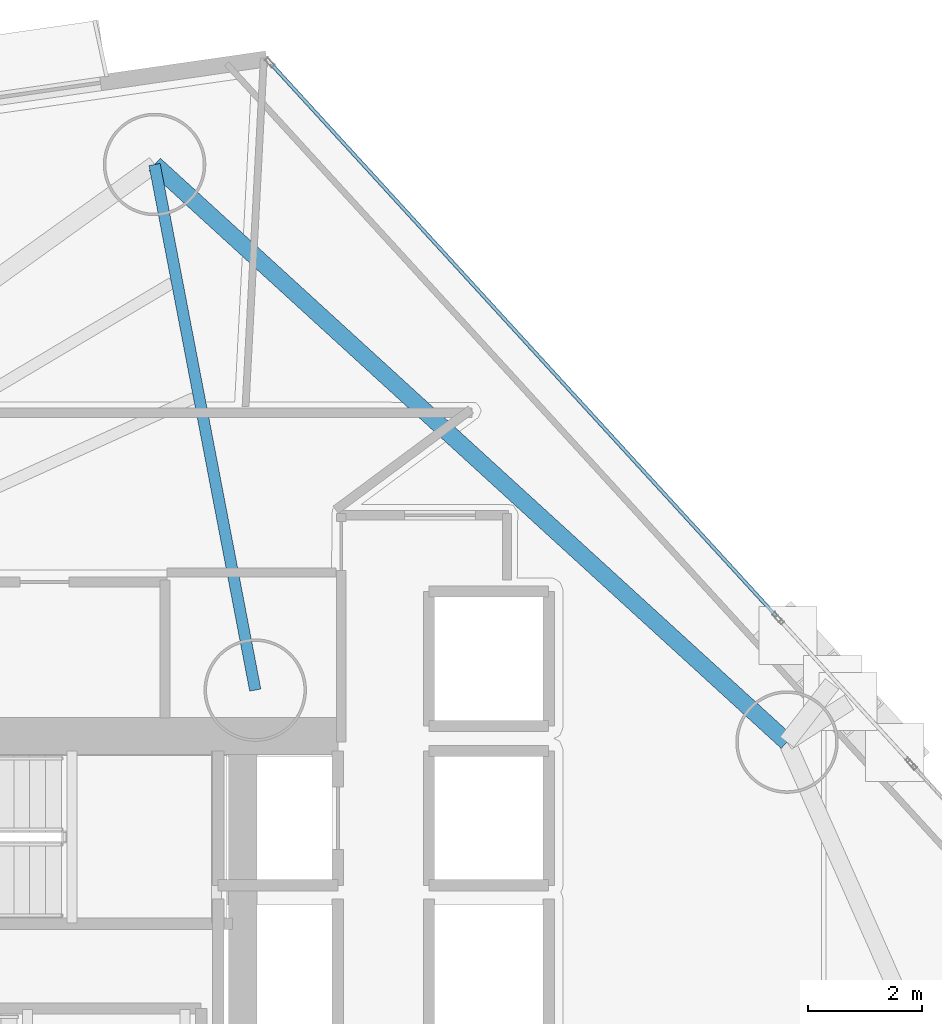
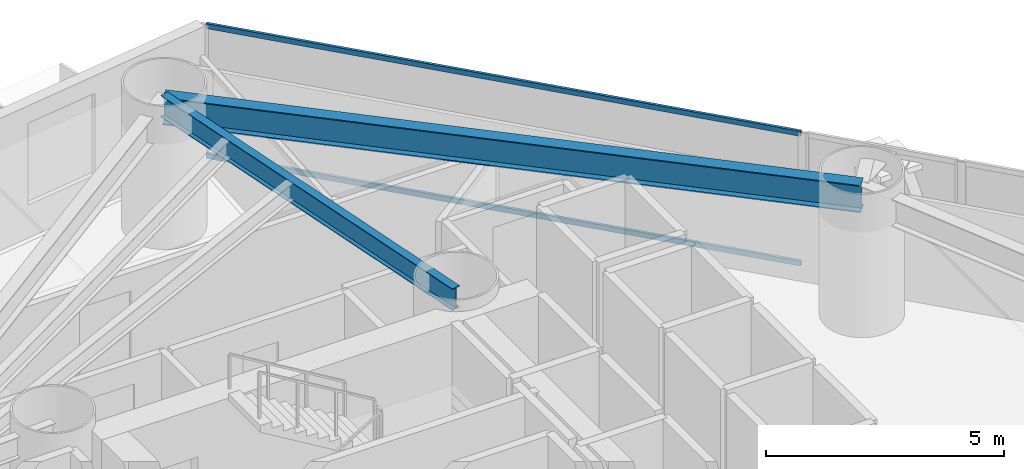
# One storey, part 11 of 22: 2 beams, 2 members, 1 element without a shape of its own.
"""IFC4 building model written with IfcOpenShell, lengths in metres."""

from ifc_helpers import new_model, si_unit, direction, frame, origin, origin_2d, place, context, subcontext, project, spatial, hollow_rectangle, i_section, extrude, material, layer, layer_set, material_profile, profile_set, type_object, element, aggregate, save


model = new_model("IFC4")

# Units and contexts
model_context = context("Model", 3, precision=1e-05, world=origin(), true_north=direction((0.0, 1.0)))
body_context = subcontext(model_context, "Body", "Model", "MODEL_VIEW")
ifc_project = project(units=[si_unit("LENGTHUNIT", "METRE"), si_unit("AREAUNIT", "SQUARE_METRE"), si_unit("VOLUMEUNIT", "CUBIC_METRE"), si_unit("PLANEANGLEUNIT", "RADIAN"), si_unit("MASSUNIT", "GRAM", prefix="KILO")], contexts=[model_context])

# Site, building, storey
site_placement = place(None, origin())
site = spatial("IfcSite", under=ifc_project, at=site_placement, CompositionType="ELEMENT")
building_placement = place(site_placement, origin())
building = spatial("IfcBuilding", under=site, at=building_placement, Name="Qianvela Tower", CompositionType="ELEMENT")
storey_placement = place(building_placement, frame((0.0, 0.0, 44.199951171875)))
storey = spatial("IfcBuildingStorey", under=building, at=storey_placement, Name="L10", CompositionType="ELEMENT", Elevation=44.199951171875)

# Beams
ifc_material_1 = material(Name="Steel Q355B", Category="steel")
ifc_material_profile_1 = material_profile(ifc_material_1, i_section(OverallWidth=0.199951171875, OverallDepth=0.550048828125, WebThickness=0.010009765625, FlangeThickness=0.01611328125, at=origin_2d()), Name="HN550x200x10x16")
ifc_profile_set_1 = profile_set([ifc_material_profile_1], Name="Steel Q355B")
beam_type_1 = type_object("IfcBeamType", Name="BM-HN550-GIRD", PredefinedType="BEAM", material=ifc_profile_set_1)
beam_1_placement = place(storey_placement, frame((38.39990234375, 33.550048828125, 3.123046875), z_axis=(-0.188149597911, 0.982140381415, 0.0), x_axis=(-0.982140381415, -0.188149597911, 0.0)))
element("IfcBeam", 1, at=beam_1_placement, inside=storey, type_object=beam_type_1, Name="L10 Radial Primary Floor Girder 3", PredefinedType="BEAM", context=body_context, shape_type="SweptSolid", body=[
    extrude(i_section(OverallWidth=0.199951171875, OverallDepth=0.550048828125, WebThickness=0.010009765625, FlangeThickness=0.01611328125, at=origin_2d()), origin(), (0.0, 0.0, 1.0), 9.395751953125),
])
ifc_material_2 = material(Name="Steel Q355B", Category="steel")
ifc_material_profile_2 = material_profile(ifc_material_2, i_section(OverallWidth=0.300048828125, OverallDepth=0.699951171875, WebThickness=0.012939453125, FlangeThickness=0.02392578125, at=origin_2d()), Name="HN700x300x13x24")
ifc_profile_set_2 = profile_set([ifc_material_profile_2], Name="Steel Q355B")
beam_type_2 = type_object("IfcBeamType", Name="BM-HN700-SPAND", PredefinedType="SPANDREL", material=ifc_profile_set_2)
beam_2_placement = place(storey_placement, frame((47.736083984375, 32.636962890625, 3.048095703125), z_axis=(-0.738396915155, 0.674366366072, 0.0), x_axis=(-0.674366366072, -0.738396915155, 0.0)))
element("IfcBeam", 2, at=beam_2_placement, inside=storey, type_object=beam_type_2, Name="L10 Perimeter Ring Spandrel Girder 2", PredefinedType="SPANDREL", context=body_context, shape_type="SweptSolid", body=[
    extrude(i_section(OverallWidth=0.300048828125, OverallDepth=0.699951171875, WebThickness=0.012939453125, FlangeThickness=0.02392578125, at=origin_2d()), origin(), (0.0, 0.0, 1.0), 15.0380859375),
])

# Curtain wall, members
ifc_material_3 = material(Name="Anodised Architectural Aluminium and Low-E Glass", Category="aluminium")
ifc_layer = layer(ifc_material_3, 0.179931640625)
ifc_layer_set = layer_set([ifc_layer], Name="Anodised Architectural Aluminium and Low-E Glass")
curtain_wall_type = type_object("IfcCurtainWallType", Name="CW-COLIV-Z12", PredefinedType="USERDEFINED", material=ifc_layer_set)
curtain_wall_placement = place(storey_placement, origin())
curtain_wall = element("IfcCurtainWall", 3, at=curtain_wall_placement, inside=storey, type_object=curtain_wall_type, Name="L10 CW-COLIV-Z12 Curtain Wall 02C", ObjectType="CURTAIN_WALL_SYSTEM", PredefinedType="USERDEFINED")
ifc_material_4 = material(Name="Anodised Architectural Aluminium 6063-T6", Category="aluminium")
ifc_material_profile_3 = material_profile(ifc_material_4, hollow_rectangle(XDim=0.06494140625, YDim=0.1298828125, WallThickness=0.00439453125, at=origin_2d()), Name="ALU-TRAN-65x130")
ifc_profile_set_3 = profile_set([ifc_material_profile_3], Name="Anodised Architectural Aluminium 6063-T6")
member_type = type_object("IfcMemberType", Name="CW-COLIV-Z12-TRAN", PredefinedType="USERDEFINED", material=ifc_profile_set_3)
member_1_placement = place(storey_placement, frame((47.537353515625, 34.85986328125, 0.032470703125), z_axis=(-0.674920595049, 0.737890364742, 0.0), x_axis=(-0.737890364742, -0.674920595049, 0.0)))
member_1 = element("IfcMember", 4, at=member_1_placement, type_object=member_type, Name="CW-3 transom 1.1", ObjectType="TRANSOM", PredefinedType="USERDEFINED", context=body_context, shape_type="SweptSolid", body=[
    extrude(hollow_rectangle(XDim=0.06494140625, YDim=0.1298828125, WallThickness=0.00439453125, at=origin_2d()), origin(), (0.0, 0.0, 1.0), 13.1240234375),
])
member_2_placement = place(storey_placement, frame((47.537353515625, 34.85986328125, 3.367431640625), z_axis=(-0.674920595049, 0.737890364742, 0.0), x_axis=(-0.737890364742, -0.674920595049, 0.0)))
member_2 = element("IfcMember", 5, at=member_2_placement, type_object=member_type, Name="CW-3 transom 1.2", ObjectType="TRANSOM", PredefinedType="USERDEFINED", context=body_context, shape_type="SweptSolid", body=[
    extrude(hollow_rectangle(XDim=0.06494140625, YDim=0.1298828125, WallThickness=0.00439453125, at=origin_2d()), origin(), (0.0, 0.0, 1.0), 13.1240234375),
])
aggregate(curtain_wall, [member_1, member_2])

save(model, "model.ifc")
